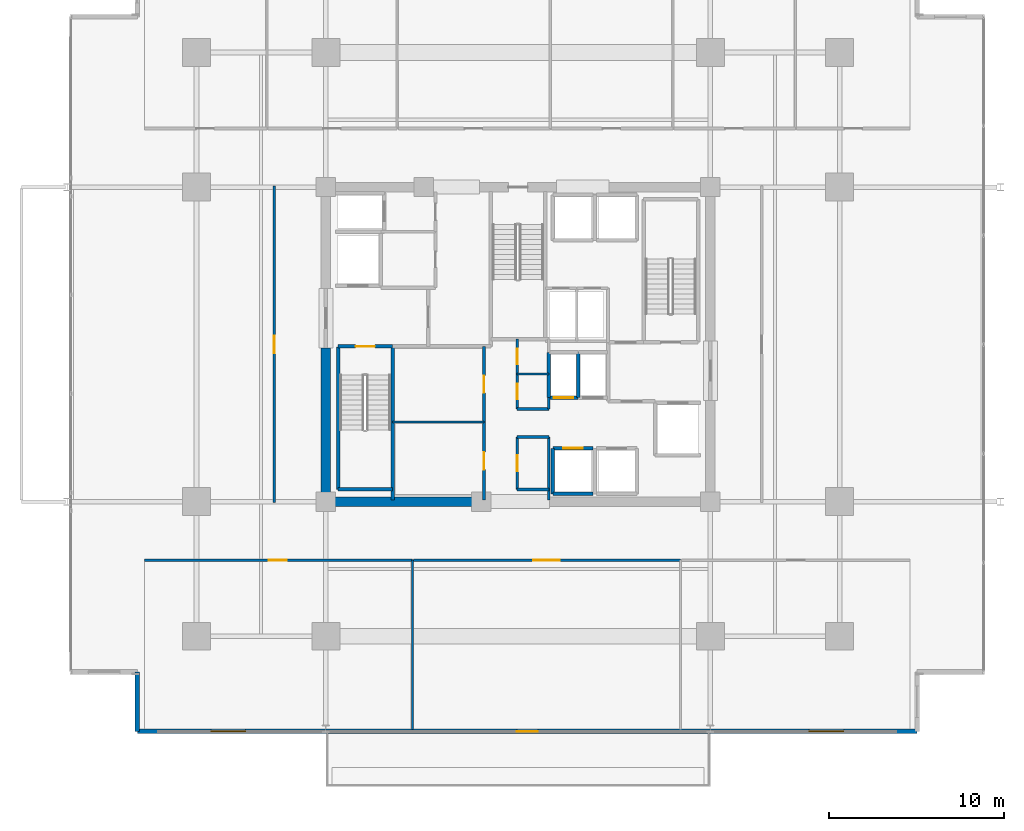
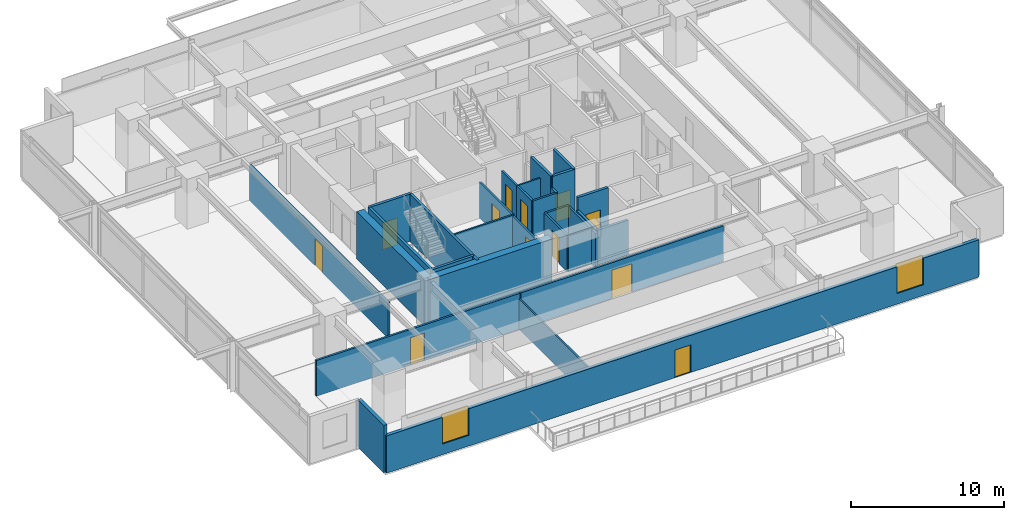
# One storey, part 15 of 22: 30 walls, 12 doors, 2 windows, 14 openings.
"""IFC4 building model written with IfcOpenShell, lengths in metres."""

import ifcopenshell
import ifcopenshell.guid

model = None  # the IFC model being written
_history = None  # IfcOwnerHistory: only IFC2X3 demands one
_inside = {}  # id of a spatial element -> (the spatial element, [elements in it])
_under = {}  # id of a project, library or spatial element -> (it, [spatial elements below it])
_declared = {}  # id of a project -> (the project, [libraries it declares])
_typed = {}  # id of a type object -> (the type object, [elements of that type])
_made_of = {}  # id of a material, layer set ... -> (it, [elements and type objects made of it])


def new_model(schema):
    """Start an empty IFC model of exactly this schema.

    Asked for "IFC4X3", IfcOpenShell would pick the latest addendum, in which some entities
    have other attributes; the version numbers below select the first issue.
    IFC2X3 requires an IfcOwnerHistory on every rooted entity: one is made here for all.
    """
    global model, _history
    if schema == "IFC4X3":
        model = ifcopenshell.file(schema_version=(4, 3, 0, 0))
    else:
        model = ifcopenshell.file(schema=schema)
    _inside.clear()
    _under.clear()
    _declared.clear()
    _typed.clear()
    _made_of.clear()
    _history = None
    if model.schema == "IFC2X3":
        org = make("IfcOrganization", Name="unknown")
        user = make(
            "IfcPersonAndOrganization",
            ThePerson=make("IfcPerson", FamilyName="unknown"),
            TheOrganization=org,
        )
        app = make(
            "IfcApplication",
            ApplicationDeveloper=org,
            Version="unknown",
            ApplicationFullName="unknown",
            ApplicationIdentifier="unknown",
        )
        _history = make(
            "IfcOwnerHistory",
            OwningUser=user,
            OwningApplication=app,
            ChangeAction="ADDED",
            CreationDate=0,
        )
    return model


def make(cls, **values):
    """One entity of the class cls with the attributes given. An attribute that is None is left unset."""
    return model.create_entity(
        cls, **{name: value for name, value in values.items() if value is not None}
    )


def rooted(cls, **values):
    """An entity with a GlobalId (a new one), such as an element, a storey or a relation."""
    return make(cls, GlobalId=ifcopenshell.guid.new(), OwnerHistory=_history, **values)


def si_unit(unit_type, name, prefix=None):
    """IfcSIUnit, for example si_unit("LENGTHUNIT", "METRE", prefix="MILLI")."""
    return make("IfcSIUnit", UnitType=unit_type, Prefix=prefix, Name=name)


def assignment(units):
    """IfcUnitAssignment: the units of a project."""
    return None if units is None else make("IfcUnitAssignment", Units=units)


def point(xyz):
    """IfcCartesianPoint."""
    return None if xyz is None else make("IfcCartesianPoint", Coordinates=xyz)


def direction(xyz):
    """IfcDirection."""
    return None if xyz is None else make("IfcDirection", DirectionRatios=xyz)


def frame(location, z_axis=None, x_axis=None):
    """IfcAxis2Placement3D, a coordinate frame: its origin and axes. An axis left out is left unset."""
    return make(
        "IfcAxis2Placement3D",
        Location=point(location),
        Axis=direction(z_axis),
        RefDirection=direction(x_axis),
    )


def frame_2d(location, x_axis=None):
    """IfcAxis2Placement2D, a coordinate frame in the plane: its origin and x axis."""
    return make(
        "IfcAxis2Placement2D", Location=point(location), RefDirection=direction(x_axis)
    )


def origin():
    """The frame at (0, 0, 0) with its axes left unset."""
    return frame((0.0, 0.0, 0.0))


def place(relative_to, where):
    """IfcLocalPlacement: puts the frame where relative to a parent placement (None: the world)."""
    return make(
        "IfcLocalPlacement", PlacementRelTo=relative_to, RelativePlacement=where
    )


def context(
    kind, dimensions, precision=None, world=None, true_north=None, identifier=None
):
    """IfcGeometricRepresentationContext, for example the 3D "Model" context."""
    return make(
        "IfcGeometricRepresentationContext",
        ContextIdentifier=identifier,
        ContextType=kind,
        CoordinateSpaceDimension=dimensions,
        Precision=precision,
        WorldCoordinateSystem=world,
        TrueNorth=true_north,
    )


def subcontext(parent, identifier, kind, view, scale=None):
    """IfcGeometricRepresentationSubContext, for example "Body" below "Model"."""
    return make(
        "IfcGeometricRepresentationSubContext",
        ContextIdentifier=identifier,
        ContextType=kind,
        ParentContext=parent,
        TargetScale=scale,
        TargetView=view,
    )


def project(units=None, contexts=None):
    """IfcProject with its units and contexts."""
    return rooted(
        "IfcProject",
        Name="project",
        RepresentationContexts=contexts,
        UnitsInContext=assignment(units),
    )


def spatial(cls, under=None, at=None, **own):
    """A site, building, storey or space (cls), placed at a placement, below another one or the project."""
    s = rooted(cls, ObjectPlacement=at, **own)
    if under is not None:
        _under.setdefault(under.id(), (under, []))[1].append(s)
    return s


def profile(cls, at=None, kind="AREA", **sizes):
    """A parametric profile (cls). Its sizes go by their IFC names, for example OverallWidth=200.0."""
    return make(cls, ProfileType=kind, Position=at, **sizes)


def rectangle(**sizes):
    """IfcRectangleProfileDef."""
    return profile("IfcRectangleProfileDef", **sizes)


def extrude(swept, where, along, depth):
    """IfcExtrudedAreaSolid: the profile swept, set in the frame where, extruded along a direction by depth."""
    return make(
        "IfcExtrudedAreaSolid",
        SweptArea=swept,
        Position=where,
        ExtrudedDirection=direction(along),
        Depth=depth,
    )


def shape(context_of_items, identifier, shape_type, items):
    """IfcShapeRepresentation: the items that make up one representation, for example the "Body"."""
    return make(
        "IfcShapeRepresentation",
        ContextOfItems=context_of_items,
        RepresentationIdentifier=identifier,
        RepresentationType=shape_type,
        Items=items,
    )


def material(Name=None, Category=None):
    """IfcMaterial."""
    return make("IfcMaterial", Name=Name, Category=Category)


def layer(
    of_material, thickness, ventilated=None, Name=None, Category=None, Priority=None
):
    """IfcMaterialLayer: one layer of a wall or slab, of a material (None: an air gap)."""
    return make(
        "IfcMaterialLayer",
        Material=of_material,
        LayerThickness=thickness,
        IsVentilated=ventilated,
        Name=Name,
        Category=Category,
        Priority=Priority,
    )


def layer_set(layers, Name=None):
    """IfcMaterialLayerSet."""
    return make("IfcMaterialLayerSet", MaterialLayers=layers, LayerSetName=Name)


def made_of(thing, what):
    """Note that an element or type object is made of a material, layer set ...; save() writes the relation."""
    if what is not None:
        _made_of.setdefault(what.id(), (what, []))[1].append(thing)
    return thing


def type_object(cls, material=None, **own):
    """A type object (cls), such as IfcWallType, which elements share."""
    return made_of(rooted(cls, **own), material)


def element(
    cls,
    number,
    at=None,
    inside=None,
    cuts=None,
    type_object=None,
    material=None,
    context=None,
    identifier="Body",
    shape_type=None,
    held_by="IfcProductDefinitionShape",
    body=None,
    shapes=None,
    **own,
):
    """One element of the class cls, such as IfcWall. Its Tag is "e" and its number.

    at: its placement. inside: the storey or other place that contains it. cuts: it is an
    opening in that element (IfcRelVoidsElement). A single representation is given by context,
    identifier, shape_type and body (its items); several are given by shapes. held_by: the class
    of the entity that holds the representations. save() writes the other relations.
    """
    e = rooted(cls, Tag="e%d" % number, ObjectPlacement=at, **own)
    if body is not None:
        shapes = [shape(context, identifier, shape_type, body)]
    if shapes is not None:
        e.Representation = make(held_by, Representations=shapes)
    if inside is not None:
        _inside.setdefault(inside.id(), (inside, []))[1].append(e)
    if cuts is not None:
        rooted(
            "IfcRelVoidsElement", RelatingBuildingElement=cuts, RelatedOpeningElement=e
        )
    if type_object is not None:
        _typed.setdefault(type_object.id(), (type_object, []))[1].append(e)
    return made_of(e, material)


def fill(opening, filler):
    """IfcRelFillsElement: the door or window that sits in an opening."""
    return rooted(
        "IfcRelFillsElement",
        RelatingOpeningElement=opening,
        RelatedBuildingElement=filler,
    )


def aggregate(whole, parts):
    """IfcRelAggregates: a whole, such as a stair, and the parts it consists of."""
    return rooted("IfcRelAggregates", RelatingObject=whole, RelatedObjects=parts)


def save(model, path):
    """Write the relations noted so far, then the file.

    IfcRelAggregates (storeys below a building ...), IfcRelContainedInSpatialStructure (elements
    in a storey), IfcRelDefinesByType, IfcRelAssociatesMaterial and IfcRelDeclares: one each for
    every whole, place, type object, material and project.
    """
    for whole, parts in _under.values():
        aggregate(whole, parts)
    for where, things in _inside.values():
        rooted(
            "IfcRelContainedInSpatialStructure",
            RelatedElements=things,
            RelatingStructure=where,
        )
    for kind, things in _typed.values():
        rooted("IfcRelDefinesByType", RelatedObjects=things, RelatingType=kind)
    for what, things in _made_of.values():
        rooted("IfcRelAssociatesMaterial", RelatedObjects=things, RelatingMaterial=what)
    for by, libraries in _declared.values():
        rooted("IfcRelDeclares", RelatingContext=by, RelatedDefinitions=libraries)
    model.write(path)


model = new_model("IFC4")

# Units and contexts
model_context = context("Model", 3, precision=1e-05, world=origin(), true_north=direction((0.0, 1.0)))
body_context = subcontext(model_context, "Body", "Model", "MODEL_VIEW")
ifc_project = project(units=[si_unit("LENGTHUNIT", "METRE"), si_unit("AREAUNIT", "SQUARE_METRE"), si_unit("VOLUMEUNIT", "CUBIC_METRE"), si_unit("PLANEANGLEUNIT", "RADIAN"), si_unit("MASSUNIT", "GRAM", prefix="KILO")], contexts=[model_context])

# Site, building, storey
site_placement = place(None, origin())
site = spatial("IfcSite", under=ifc_project, at=site_placement, CompositionType="ELEMENT")
building_placement = place(site_placement, origin())
building = spatial("IfcBuilding", under=site, at=building_placement, Name="Kovane Verandah Tower", CompositionType="ELEMENT")
storey_placement = place(building_placement, frame((0.0, 0.0, 156.39990234375)))
storey = spatial("IfcBuildingStorey", under=building, at=storey_placement, Name="L36", CompositionType="ELEMENT", Elevation=156.39990234375)

# Walls
ifc_material_1 = material(Name="Fire-Rated Gypsum Stud Partition", Category="gypsum")
ifc_layer_1 = layer(ifc_material_1, 0.14990234375)
ifc_layer_set_1 = layer_set([ifc_layer_1], Name="Fire-Rated Gypsum Stud Partition")
wall_type_1 = type_object("IfcWallType", Name="WL-COR-150", PredefinedType="PARTITIONING", material=ifc_layer_set_1)
for number, where, z_axis, x_axis, name in (
    (1, (39.949951171875, 19.199951171875, 0.0), (0.0, 0.0, 1.0), (1.0, 0.0, 0.0), "L36 Central Core Strip South Wall"),
    (2, (39.949951171875, 22.199951171875, 0.0), (0.0, 0.0, 1.0), (1.0, 0.0, 0.0), "L36 Core Cross-Passage South Wall"),
    (3, (39.949951171875, 23.800048828125, 0.0), (0.0, 0.0, 1.0), (1.0, 0.0, 0.0), "L36 Core Cross-Passage North Wall"),
):
    element("IfcWall", number, at=place(storey_placement, frame(where, z_axis=z_axis, x_axis=x_axis)), inside=storey, type_object=wall_type_1, Name=name, PredefinedType="PARTITIONING", context=body_context, shape_type="SweptSolid", body=[
        extrude(rectangle(XDim=1.81005859375, YDim=0.14990234375, at=frame_2d((0.905029296875, 0.0))), origin(), (0.0, 0.0, 1.0), 2.85009765625),
    ])
wall_1_placement = place(storey_placement, frame((41.760009765625, 18.60009765625, 0.0), z_axis=(0.0, 0.0, 1.0), x_axis=(0.0, 1.0, 0.0)))
element("IfcWall", 4, at=wall_1_placement, inside=storey, type_object=wall_type_1, Name="L36 Central Core Strip Lower East Wall", PredefinedType="PARTITIONING", context=body_context, shape_type="SweptSolid", body=[
    extrude(rectangle(XDim=3.599853515625, YDim=0.14990234375, at=frame_2d((1.7998046875, 0.0))), origin(), (0.0, 0.0, 1.0), 2.755126953125),
])
wall_2_placement = place(storey_placement, frame((41.760009765625, 23.800048828125, 0.0), z_axis=(0.0, 0.0, 1.0), x_axis=(0.0, 1.0, 0.0)))
element("IfcWall", 5, at=wall_2_placement, inside=storey, type_object=wall_type_1, Name="L36 Central Core Strip Middle East Wall", PredefinedType="PARTITIONING", context=body_context, shape_type="SweptSolid", body=[
    extrude(rectangle(XDim=0.64990234375, YDim=0.14990234375, at=frame_2d((0.324951171875, 0.0))), origin(), (0.0, 0.0, 1.0), 2.85009765625),
])

# Wall, opening, door
wall_3_placement = place(storey_placement, frame((39.949951171875, 19.199951171875, 0.0), z_axis=(0.0, 0.0, 1.0), x_axis=(0.0, 1.0, 0.0)))
wall_3 = element("IfcWall", 6, at=wall_3_placement, inside=storey, type_object=wall_type_1, Name="L36 Male Toilet Partition", PredefinedType="PARTITIONING", context=body_context, shape_type="SweptSolid", body=[
    extrude(rectangle(XDim=3.0, YDim=0.14990234375, at=frame_2d((1.5, 0.0))), origin(), (0.0, 0.0, 1.0), 2.85009765625),
])
opening_1_placement = place(wall_3_placement, frame((1.050048828125, 0.0, 0.0)))
opening_1 = element("IfcOpeningElement", 7, at=opening_1_placement, cuts=wall_3, Name="Opening DR-L36-029", PredefinedType="OPENING", context=body_context, shape_type="SweptSolid", body=[
    extrude(rectangle(XDim=0.89990234375, YDim=2.10009765625, at=frame_2d((0.449951171875, 1.050048828125))), frame((0.0, 0.074951171875, 0.0), z_axis=(0.0, -1.0, 0.0), x_axis=(1.0, 0.0, 0.0)), (0.0, 0.0, 1.0), 0.14990234375),
])
ifc_material_2 = material(Name="Moisture-Resistant Laminate Washroom Door", Category="wood")
door_type_1 = type_object("IfcDoorType", Name="DR-WC-900", OperationType="SINGLE_SWING_LEFT", PredefinedType="DOOR", material=ifc_material_2)
door_1_placement = place(opening_1_placement, origin())
door_1 = element("IfcDoor", 8, at=door_1_placement, inside=storey, type_object=door_type_1, Name="L36 Male Toilet Door", OperationType="SINGLE_SWING_RIGHT", OverallHeight=2.10009765625, OverallWidth=0.89990234375, PredefinedType="DOOR", context=body_context, shape_type="SweptSolid", body=[
    extrude(rectangle(XDim=0.89990234375, YDim=2.10009765625, at=frame_2d((0.449951171875, 1.050048828125))), frame((0.0, 0.02490234375, 0.0), z_axis=(0.0, -1.0, 0.0), x_axis=(1.0, 0.0, 0.0)), (0.0, 0.0, 1.0), 0.050048828125),
])
fill(opening_1, door_1)

wall_4_placement = place(storey_placement, frame((39.949951171875, 23.800048828125, 0.0), z_axis=(0.0, 0.0, 1.0), x_axis=(0.0, 1.0, 0.0)))
wall_4 = element("IfcWall", 9, at=wall_4_placement, inside=storey, type_object=wall_type_1, Name="L36 Female Toilet Partition", PredefinedType="PARTITIONING", context=body_context, shape_type="SweptSolid", body=[
    extrude(rectangle(XDim=2.0, YDim=0.14990234375, at=frame_2d((1.0, 0.0))), origin(), (0.0, 0.0, 1.0), 2.85009765625),
])
opening_2_placement = place(wall_4_placement, frame((0.550048828125, 0.0, 0.0)))
opening_2 = element("IfcOpeningElement", 10, at=opening_2_placement, cuts=wall_4, Name="Opening DR-L36-028", PredefinedType="OPENING", context=body_context, shape_type="SweptSolid", body=[
    extrude(rectangle(XDim=0.89990234375, YDim=2.10009765625, at=frame_2d((0.449951171875, 1.050048828125))), frame((0.0, 0.074951171875, 0.0), z_axis=(0.0, -1.0, 0.0), x_axis=(1.0, 0.0, 0.0)), (0.0, 0.0, 1.0), 0.14990234375),
])
door_2_placement = place(opening_2_placement, origin())
door_2 = element("IfcDoor", 11, at=door_2_placement, inside=storey, type_object=door_type_1, Name="L36 Female Toilet Door", OperationType="SINGLE_SWING_LEFT", OverallHeight=2.10009765625, OverallWidth=0.89990234375, PredefinedType="DOOR", context=body_context, shape_type="SweptSolid", body=[
    extrude(rectangle(XDim=0.89990234375, YDim=2.10009765625, at=frame_2d((0.449951171875, 1.050048828125))), frame((0.0, 0.02490234375, 0.0), z_axis=(0.0, -1.0, 0.0), x_axis=(1.0, 0.0, 0.0)), (0.0, 0.0, 1.0), 0.050048828125),
])
fill(opening_2, door_2)

wall_5_placement = place(storey_placement, frame((39.949951171875, 25.800048828125, 0.0), z_axis=(0.0, 0.0, 1.0), x_axis=(0.0, 1.0, 0.0)))
wall_5 = element("IfcWall", 12, at=wall_5_placement, inside=storey, type_object=wall_type_1, Name="L36 Electrical Riser Room Partition", PredefinedType="PARTITIONING", context=body_context, shape_type="SweptSolid", body=[
    extrude(rectangle(XDim=2.0, YDim=0.14990234375, at=frame_2d((1.0, 0.0))), origin(), (0.0, 0.0, 1.0), 2.85009765625),
])
opening_3_placement = place(wall_5_placement, frame((0.56005859375, 0.0, 0.0)))
opening_3 = element("IfcOpeningElement", 13, at=opening_3_placement, cuts=wall_5, Name="Opening DR-L36-026", PredefinedType="OPENING", context=body_context, shape_type="SweptSolid", body=[
    extrude(rectangle(XDim=0.8798828125, YDim=2.10009765625, at=frame_2d((0.43994140625, 1.050048828125))), frame((0.0, 0.074951171875, 0.0), z_axis=(0.0, -1.0, 0.0), x_axis=(1.0, 0.0, 0.0)), (0.0, 0.0, 1.0), 0.14990234375),
])
ifc_material_3 = material(Name="Fire-Rated Steel Riser Access Door", Category="steel")
door_type_2 = type_object("IfcDoorType", Name="DR-RISER-880", OperationType="SINGLE_SWING_LEFT", PredefinedType="DOOR", material=ifc_material_3)
door_3_placement = place(opening_3_placement, origin())
door_3 = element("IfcDoor", 14, at=door_3_placement, inside=storey, type_object=door_type_2, Name="L36 Electrical Riser Room Door", OperationType="SINGLE_SWING_RIGHT", OverallHeight=2.10009765625, OverallWidth=0.8798828125, PredefinedType="DOOR", context=body_context, shape_type="SweptSolid", body=[
    extrude(rectangle(XDim=0.8798828125, YDim=2.10009765625, at=frame_2d((0.43994140625, 1.050048828125))), frame((0.0, 0.02490234375, 0.0), z_axis=(0.0, -1.0, 0.0), x_axis=(1.0, 0.0, 0.0)), (0.0, 0.0, 1.0), 0.050048828125),
])
fill(opening_3, door_3)

wall_6_placement = place(storey_placement, frame((38.050048828125, 18.60009765625, 0.0), z_axis=(0.0, 0.0, 1.0), x_axis=(0.0, 1.0, 0.0)))
wall_6 = element("IfcWall", 15, at=wall_6_placement, inside=storey, type_object=wall_type_1, Name="L36 IT Server Room Partition", PredefinedType="PARTITIONING", context=body_context, shape_type="SweptSolid", body=[
    extrude(rectangle(XDim=4.4599609375, YDim=0.14990234375, at=frame_2d((2.22998046875, 0.0))), origin(), (0.0, 0.0, 1.0), 2.755126953125),
])
opening_4_placement = place(wall_6_placement, frame((1.72998046875, 0.0, 0.0)))
opening_4 = element("IfcOpeningElement", 16, at=opening_4_placement, cuts=wall_6, Name="Opening DR-L36-013", PredefinedType="OPENING", context=body_context, shape_type="SweptSolid", body=[
    extrude(rectangle(XDim=1.0, YDim=2.14990234375, at=frame_2d((0.5, 1.074951171875))), frame((0.0, 0.074951171875, 0.0), z_axis=(0.0, -1.0, 0.0), x_axis=(1.0, 0.0, 0.0)), (0.0, 0.0, 1.0), 0.14990234375),
])
ifc_material_4 = material(Name="FSC Spotted-Gum Timber Fire-Rated Office Door", Category="wood")
door_type_3 = type_object("IfcDoorType", Name="DR-OFF-1000", OperationType="SINGLE_SWING_LEFT", PredefinedType="DOOR", material=ifc_material_4)
door_4_placement = place(opening_4_placement, origin())
door_4 = element("IfcDoor", 17, at=door_4_placement, inside=storey, type_object=door_type_3, Name="L36 IT Server Room Door", OperationType="SINGLE_SWING_LEFT", OverallHeight=2.14990234375, OverallWidth=1.0, PredefinedType="DOOR", context=body_context, shape_type="SweptSolid", body=[
    extrude(rectangle(XDim=1.0, YDim=2.14990234375, at=frame_2d((0.5, 1.074951171875))), frame((0.0, 0.02490234375, 0.0), z_axis=(0.0, -1.0, 0.0), x_axis=(1.0, 0.0, 0.0)), (0.0, 0.0, 1.0), 0.050048828125),
])
fill(opening_4, door_4)

wall_7_placement = place(storey_placement, frame((38.050048828125, 23.06005859375, 0.0), z_axis=(0.0, 0.0, 1.0), x_axis=(0.0, 1.0, 0.0)))
wall_7 = element("IfcWall", 18, at=wall_7_placement, inside=storey, type_object=wall_type_1, Name="L36 Telecom MDF Room Partition", PredefinedType="PARTITIONING", context=body_context, shape_type="SweptSolid", body=[
    extrude(rectangle(XDim=4.31982421875, YDim=0.14990234375, at=frame_2d((2.159912109375, 0.0))), origin(), (0.0, 0.0, 1.0), 2.85009765625),
])
opening_5_placement = place(wall_7_placement, frame((1.659912109375, 0.0, 0.0)))
opening_5 = element("IfcOpeningElement", 19, at=opening_5_placement, cuts=wall_7, Name="Opening DR-L36-014", PredefinedType="OPENING", context=body_context, shape_type="SweptSolid", body=[
    extrude(rectangle(XDim=1.0, YDim=2.14990234375, at=frame_2d((0.5, 1.074951171875))), frame((0.0, 0.074951171875, 0.0), z_axis=(0.0, -1.0, 0.0), x_axis=(1.0, 0.0, 0.0)), (0.0, 0.0, 1.0), 0.14990234375),
])
door_5_placement = place(opening_5_placement, origin())
door_5 = element("IfcDoor", 20, at=door_5_placement, inside=storey, type_object=door_type_3, Name="L36 Telecom MDF Room Door", OperationType="SINGLE_SWING_RIGHT", OverallHeight=2.14990234375, OverallWidth=1.0, PredefinedType="DOOR", context=body_context, shape_type="SweptSolid", body=[
    extrude(rectangle(XDim=1.0, YDim=2.14990234375, at=frame_2d((0.5, 1.074951171875))), frame((0.0, 0.02490234375, 0.0), z_axis=(0.0, -1.0, 0.0), x_axis=(1.0, 0.0, 0.0)), (0.0, 0.0, 1.0), 0.050048828125),
])
fill(opening_5, door_5)

wall_8_placement = place(storey_placement, frame((18.61962890625, 15.14990234375, 0.0), z_axis=(0.0, 0.0, 1.0), x_axis=(1.0, 0.0, 0.0)))
wall_8 = element("IfcWall", 21, at=wall_8_placement, inside=storey, type_object=wall_type_1, Name="L36 Executive Office S1 Corridor Partition", PredefinedType="PARTITIONING", context=body_context, shape_type="SweptSolid", body=[
    extrude(rectangle(XDim=15.337890625, YDim=0.14990234375, at=frame_2d((7.6689453125, 0.0))), origin(), (0.0, 0.0, 1.0), 2.85009765625),
])
opening_6_placement = place(wall_8_placement, frame((7.10888671875, 0.0, 0.0)))
opening_6 = element("IfcOpeningElement", 22, at=opening_6_placement, cuts=wall_8, Name="Opening DR-L36-023", PredefinedType="OPENING", context=body_context, shape_type="SweptSolid", body=[
    extrude(rectangle(XDim=1.050048828125, YDim=2.199951171875, at=frame_2d((0.52490234375, 1.10009765625))), frame((0.0, 0.074951171875, 0.0), z_axis=(0.0, -1.0, 0.0), x_axis=(1.0, 0.0, 0.0)), (0.0, 0.0, 1.0), 0.14990234375),
])
ifc_material_5 = material(Name="FSC Blackbutt Timber Fire-Rated Executive Door", Category="wood")
door_type_4 = type_object("IfcDoorType", Name="DR-EXEC-1050", OperationType="SINGLE_SWING_LEFT", PredefinedType="DOOR", material=ifc_material_5)
door_6_placement = place(opening_6_placement, origin())
door_6 = element("IfcDoor", 23, at=door_6_placement, inside=storey, type_object=door_type_4, Name="L36 Executive Office S1 Entrance Door", OperationType="SINGLE_SWING_LEFT", OverallHeight=2.199951171875, OverallWidth=1.050048828125, PredefinedType="DOOR", context=body_context, shape_type="SweptSolid", body=[
    extrude(rectangle(XDim=1.050048828125, YDim=2.199951171875, at=frame_2d((0.52490234375, 1.10009765625))), frame((0.0, 0.02490234375, 0.0), z_axis=(0.0, -1.0, 0.0), x_axis=(1.0, 0.0, 0.0)), (0.0, 0.0, 1.0), 0.050048828125),
])
fill(opening_6, door_6)

wall_9_placement = place(storey_placement, frame((34.027587890625, 15.14990234375, 0.0), z_axis=(0.0, 0.0, 1.0), x_axis=(1.0, 0.0, 0.0)))
wall_9 = element("IfcWall", 24, at=wall_9_placement, inside=storey, type_object=wall_type_1, Name="L36 Client Boardroom S2 Corridor Partition", PredefinedType="PARTITIONING", context=body_context, shape_type="SweptSolid", body=[
    extrude(rectangle(XDim=15.267822265625, YDim=0.14990234375, at=frame_2d((7.6337890625, 0.0))), origin(), (0.0, 0.0, 1.0), 2.85009765625),
])
opening_7_placement = place(wall_9_placement, frame((6.848876953125, 0.0, 0.0)))
opening_7 = element("IfcOpeningElement", 25, at=opening_7_placement, cuts=wall_9, Name="Opening DR-L36-024", PredefinedType="OPENING", context=body_context, shape_type="SweptSolid", body=[
    extrude(rectangle(XDim=1.5, YDim=2.25, at=frame_2d((0.75, 1.125))), frame((0.0, 0.074951171875, 0.0), z_axis=(0.0, -1.0, 0.0), x_axis=(1.0, 0.0, 0.0)), (0.0, 0.0, 1.0), 0.14990234375),
])
ifc_material_6 = material(Name="Glazed Timber Fire-Rated Double Door", Category="wood")
door_type_5 = type_object("IfcDoorType", Name="DR-CONF-1500", OperationType="DOUBLE_DOOR_SINGLE_SWING", PredefinedType="DOOR", material=ifc_material_6)
door_7_placement = place(opening_7_placement, origin())
door_7 = element("IfcDoor", 26, at=door_7_placement, inside=storey, type_object=door_type_5, Name="L36 Client Boardroom S2 Entrance Door", OperationType="DOUBLE_DOOR_SINGLE_SWING", OverallHeight=2.25, OverallWidth=1.5, PredefinedType="DOOR", context=body_context, shape_type="SweptSolid", body=[
    extrude(rectangle(XDim=1.5, YDim=2.25, at=frame_2d((0.75, 1.125))), frame((0.0, 0.02490234375, 0.0), z_axis=(0.0, -1.0, 0.0), x_axis=(1.0, 0.0, 0.0)), (0.0, 0.0, 1.0), 0.050048828125),
])
fill(opening_7, door_7)

wall_10_placement = place(storey_placement, frame((26.050048828125, 18.449951171875, 0.0), z_axis=(0.0, 0.0, 1.0), x_axis=(0.0, 1.0, 0.0)))
wall_10 = element("IfcWall", 27, at=wall_10_placement, inside=storey, type_object=wall_type_1, Name="L36 Focus Studio W1 Corridor Partition", PredefinedType="PARTITIONING", context=body_context, shape_type="SweptSolid", body=[
    extrude(rectangle(XDim=18.10009765625, YDim=0.14990234375, at=frame_2d((9.050048828125, 0.0))), origin(), (0.0, 0.0, 1.0), 2.85009765625),
])
opening_8_placement = place(wall_10_placement, frame((8.550048828125, 0.0, 0.0)))
opening_8 = element("IfcOpeningElement", 28, at=opening_8_placement, cuts=wall_10, Name="Opening DR-L36-030", PredefinedType="OPENING", context=body_context, shape_type="SweptSolid", body=[
    extrude(rectangle(XDim=1.0, YDim=2.14990234375, at=frame_2d((0.5, 1.074951171875))), frame((0.0, 0.074951171875, 0.0), z_axis=(0.0, -1.0, 0.0), x_axis=(1.0, 0.0, 0.0)), (0.0, 0.0, 1.0), 0.14990234375),
])
door_8_placement = place(opening_8_placement, origin())
door_8 = element("IfcDoor", 29, at=door_8_placement, inside=storey, type_object=door_type_3, Name="L36 Focus Studio W1 Entrance Door", OperationType="SINGLE_SWING_RIGHT", OverallHeight=2.14990234375, OverallWidth=1.0, PredefinedType="DOOR", context=body_context, shape_type="SweptSolid", body=[
    extrude(rectangle(XDim=1.0, YDim=2.14990234375, at=frame_2d((0.5, 1.074951171875))), frame((0.0, 0.02490234375, 0.0), z_axis=(0.0, -1.0, 0.0), x_axis=(1.0, 0.0, 0.0)), (0.0, 0.0, 1.0), 0.050048828125),
])
fill(opening_8, door_8)

# Walls
ifc_material_7 = material(Name="Concrete C60/75", Category="concrete")
ifc_layer_2 = layer(ifc_material_7, 0.550048828125)
ifc_layer_set_2 = layer_set([ifc_layer_2], Name="Concrete C60/75")
wall_type_2 = type_object("IfcWallType", Name="WL-CORE-550", PredefinedType="SHEAR", material=ifc_layer_set_2)
wall_11_placement = place(storey_placement, frame((29.0, 18.5, 0.0), z_axis=(0.0, 0.0, 1.0), x_axis=(1.0, 0.0, 0.0)))
element("IfcWall", 30, at=wall_11_placement, inside=storey, type_object=wall_type_2, Name="L36 Core Shear Wall CS-1", PredefinedType="SHEAR", context=body_context, shape_type="SweptSolid", body=[
    extrude(rectangle(XDim=9.199951171875, YDim=0.550048828125, at=frame_2d((4.60009765625, 0.0))), origin(), (0.0, 0.0, 1.0), 3.775146484375),
])
wall_12_placement = place(storey_placement, frame((29.0, 18.5, 0.0), z_axis=(0.0, 0.0, 1.0), x_axis=(0.0, 1.0, 0.0)))
element("IfcWall", 31, at=wall_12_placement, inside=storey, type_object=wall_type_2, Name="L36 Core Shear Wall CW-1", PredefinedType="SHEAR", context=body_context, shape_type="SweptSolid", body=[
    extrude(rectangle(XDim=8.800048828125, YDim=0.550048828125, at=frame_2d((4.39990234375, 0.0))), origin(), (0.0, 0.0, 1.0), 3.775146484375),
])
ifc_material_8 = material(Name="Concrete C45/55 Lift Shaft Wall", Category="concrete")
ifc_layer_3 = layer(ifc_material_8, 0.199951171875)
ifc_layer_set_3 = layer_set([ifc_layer_3], Name="Concrete C45/55 Lift Shaft Wall")
wall_type_3 = type_object("IfcWallType", Name="WL-LIFT-200", PredefinedType="SOLIDWALL", material=ifc_layer_set_3)
wall_13_placement = place(storey_placement, frame((42.0, 18.949951171875, 0.0), z_axis=(0.0, 0.0, 1.0), x_axis=(1.0, 0.0, 0.0)))
element("IfcWall", 32, at=wall_13_placement, inside=storey, type_object=wall_type_3, Name="L36 Lift PL-M1 S Shaft Wall", PredefinedType="SOLIDWALL", context=body_context, shape_type="SweptSolid", body=[
    extrude(rectangle(XDim=2.300048828125, YDim=0.199951171875, at=frame_2d((1.14990234375, 0.0))), origin(), (0.0, 0.0, 1.0), 2.755126953125),
])

# Wall, opening, door
wall_14_placement = place(storey_placement, frame((44.300048828125, 21.550048828125, 0.0), z_axis=(0.0, 0.0, 1.0), x_axis=(-1.0, 0.0, 0.0)))
wall_14 = element("IfcWall", 33, at=wall_14_placement, inside=storey, type_object=wall_type_3, Name="L36 Lift PL-M1 N Shaft Wall", PredefinedType="SOLIDWALL", context=body_context, shape_type="SweptSolid", body=[
    extrude(rectangle(XDim=2.300048828125, YDim=0.199951171875, at=frame_2d((1.14990234375, 0.0))), origin(), (0.0, 0.0, 1.0), 3.775146484375),
])
opening_9_placement = place(wall_14_placement, frame((0.60009765625, 0.0, 0.0)))
opening_9 = element("IfcOpeningElement", 34, at=opening_9_placement, cuts=wall_14, Name="Opening LD-L36-004", PredefinedType="OPENING", context=body_context, shape_type="SweptSolid", body=[
    extrude(rectangle(XDim=1.10009765625, YDim=2.199951171875, at=frame_2d((0.550048828125, 1.10009765625))), frame((0.0, 0.10009765625, 0.0), z_axis=(0.0, -1.0, 0.0), x_axis=(1.0, 0.0, 0.0)), (0.0, 0.0, 1.0), 0.199951171875),
])
ifc_material_9 = material(Name="Brushed Stainless Steel Sliding Lift Landing Door", Category="steel")
door_type_6 = type_object("IfcDoorType", Name="DR-LIFT-1100", OperationType="SLIDING_TO_RIGHT", PredefinedType="DOOR", material=ifc_material_9)
door_9_placement = place(opening_9_placement, origin())
door_9 = element("IfcDoor", 35, at=door_9_placement, inside=storey, type_object=door_type_6, Name="L36 Lift PL-M1 Sliding Landing Door", OperationType="SLIDING_TO_RIGHT", OverallHeight=2.199951171875, OverallWidth=1.10009765625, PredefinedType="DOOR", context=body_context, shape_type="SweptSolid", body=[
    extrude(rectangle(XDim=1.10009765625, YDim=2.199951171875, at=frame_2d((0.550048828125, 1.10009765625))), frame((0.0, 0.02490234375, 0.0), z_axis=(0.0, -1.0, 0.0), x_axis=(1.0, 0.0, 0.0)), (0.0, 0.0, 1.0), 0.050048828125),
])
fill(opening_9, door_9)

# Wall
wall_15_placement = place(storey_placement, frame((42.0, 21.550048828125, 0.0), z_axis=(0.0, 0.0, 1.0), x_axis=(0.0, -1.0, 0.0)))
element("IfcWall", 36, at=wall_15_placement, inside=storey, type_object=wall_type_3, Name="L36 Lift PL-M1 W Shaft Wall", PredefinedType="SOLIDWALL", context=body_context, shape_type="SweptSolid", body=[
    extrude(rectangle(XDim=2.60009765625, YDim=0.199951171875, at=frame_2d((1.300048828125, 0.0))), origin(), (0.0, 0.0, 1.0), 2.755126953125),
])

# Wall, opening, door
wall_16_placement = place(storey_placement, frame((41.760009765625, 24.449951171875, 0.0), z_axis=(0.0, 0.0, 1.0), x_axis=(1.0, 0.0, 0.0)))
wall_16 = element("IfcWall", 37, at=wall_16_placement, inside=storey, type_object=wall_type_3, Name="L36 Lift PL-M3 S Shaft Wall", PredefinedType="SOLIDWALL", context=body_context, shape_type="SweptSolid", body=[
    extrude(rectangle(XDim=1.679931640625, YDim=0.199951171875, at=frame_2d((0.83984375, 0.0))), origin(), (0.0, 0.0, 1.0), 3.775146484375),
])
opening_10_placement = place(wall_16_placement, frame((0.2900390625, 0.0, 0.0)))
opening_10 = element("IfcOpeningElement", 38, at=opening_10_placement, cuts=wall_16, Name="Opening LD-L36-006", PredefinedType="OPENING", context=body_context, shape_type="SweptSolid", body=[
    extrude(rectangle(XDim=1.10009765625, YDim=2.199951171875, at=frame_2d((0.550048828125, 1.10009765625))), frame((0.0, 0.10009765625, 0.0), z_axis=(0.0, -1.0, 0.0), x_axis=(1.0, 0.0, 0.0)), (0.0, 0.0, 1.0), 0.199951171875),
])
door_10_placement = place(opening_10_placement, origin())
door_10 = element("IfcDoor", 39, at=door_10_placement, inside=storey, type_object=door_type_6, Name="L36 Lift PL-M3 Sliding Landing Door", OperationType="SLIDING_TO_RIGHT", OverallHeight=2.199951171875, OverallWidth=1.10009765625, PredefinedType="DOOR", context=body_context, shape_type="SweptSolid", body=[
    extrude(rectangle(XDim=1.10009765625, YDim=2.199951171875, at=frame_2d((0.550048828125, 1.10009765625))), frame((0.0, 0.02490234375, 0.0), z_axis=(0.0, -1.0, 0.0), x_axis=(1.0, 0.0, 0.0)), (0.0, 0.0, 1.0), 0.050048828125),
])
fill(opening_10, door_10)

# Walls
for number, where, z_axis, x_axis, name in (
    (40, (41.760009765625, 27.050048828125, 0.0), (0.0, 0.0, 1.0), (0.0, -1.0, 0.0), "L36 Lift PL-M3 W Shaft Wall"),
    (41, (43.449951171875, 24.449951171875, 0.0), (0.0, 0.0, 1.0), (0.0, 1.0, 0.0), "L36 Lift PL-M3 and PL-M4 Shared Shaft Wall"),
):
    element("IfcWall", number, at=place(storey_placement, frame(where, z_axis=z_axis, x_axis=x_axis)), inside=storey, type_object=wall_type_3, Name=name, PredefinedType="SOLIDWALL", context=body_context, shape_type="SweptSolid", body=[
        extrude(rectangle(XDim=2.60009765625, YDim=0.199951171875, at=frame_2d((1.300048828125, 0.0))), origin(), (0.0, 0.0, 1.0), 3.775146484375),
    ])
ifc_material_10 = material(Name="Acoustic Fire-Rated Gypsum Partition", Category="gypsum")
ifc_layer_4 = layer(ifc_material_10, 0.1201171875)
ifc_layer_set_4 = layer_set([ifc_layer_4], Name="Acoustic Fire-Rated Gypsum Partition")
wall_type_4 = type_object("IfcWallType", Name="WL-PART-120", PredefinedType="PARTITIONING", material=ifc_layer_set_4)
wall_17_placement = place(storey_placement, frame((39.949951171875, 25.800048828125, 0.0), z_axis=(0.0, 0.0, 1.0), x_axis=(1.0, 0.0, 0.0)))
element("IfcWall", 42, at=wall_17_placement, inside=storey, type_object=wall_type_4, Name="L36 Central Core Strip Upper Dividing Partition", PredefinedType="PARTITIONING", context=body_context, shape_type="SweptSolid", body=[
    extrude(rectangle(XDim=1.81005859375, YDim=0.1201171875, at=frame_2d((0.905029296875, 0.0))), origin(), (0.0, 0.0, 1.0), 2.85009765625),
])
wall_18_placement = place(storey_placement, frame((32.820068359375, 23.06005859375, 0.0), z_axis=(0.0, 0.0, 1.0), x_axis=(1.0, 0.0, 0.0)))
element("IfcWall", 43, at=wall_18_placement, inside=storey, type_object=wall_type_4, Name="L36 Core Support Dividing Partition", PredefinedType="PARTITIONING", context=body_context, shape_type="SweptSolid", body=[
    extrude(rectangle(XDim=5.22998046875, YDim=0.1201171875, at=frame_2d((2.614990234375, 0.0))), origin(), (0.0, 0.0, 1.0), 2.85009765625),
])
wall_19_placement = place(storey_placement, frame((33.95751953125, 5.453857421875, 0.0), z_axis=(0.0, 0.0, 1.0), x_axis=(0.0, 1.0, 0.0)))
element("IfcWall", 44, at=wall_19_placement, inside=storey, type_object=wall_type_4, Name="L36 Executive Office S1 Dividing Partition", PredefinedType="PARTITIONING", context=body_context, shape_type="SweptSolid", body=[
    extrude(rectangle(XDim=9.696044921875, YDim=0.1201171875, at=frame_2d((4.84814453125, 0.0))), origin(), (0.0, 0.0, 1.0), 2.405029296875),
])
ifc_material_11 = material(Name="Concrete C45/55", Category="concrete")
ifc_layer_5 = layer(ifc_material_11, 0.199951171875)
ifc_layer_set_5 = layer_set([ifc_layer_5], Name="Concrete C45/55")
wall_type_5 = type_object("IfcWallType", Name="WL-SHAFT-200", PredefinedType="SOLIDWALL", material=ifc_layer_set_5)
wall_20_placement = place(storey_placement, frame((29.699951171875, 19.199951171875, 0.0), z_axis=(0.0, 0.0, 1.0), x_axis=(0.0, 1.0, 0.0)))
element("IfcWall", 45, at=wall_20_placement, inside=storey, type_object=wall_type_5, Name="W-L36-ST01-W", PredefinedType="SOLIDWALL", context=body_context, shape_type="SweptSolid", body=[
    extrude(rectangle(XDim=8.150146484375, YDim=0.199951171875, at=frame_2d((4.0751953125, 0.0))), origin(), (0.0, 0.0, 1.0), 3.775146484375),
])
wall_21_placement = place(storey_placement, frame((29.699951171875, 19.199951171875, 0.0), z_axis=(0.0, 0.0, 1.0), x_axis=(1.0, 0.0, 0.0)))
element("IfcWall", 46, at=wall_21_placement, inside=storey, type_object=wall_type_5, Name="W-L36-ST01-S", PredefinedType="SOLIDWALL", context=body_context, shape_type="SweptSolid", body=[
    extrude(rectangle(XDim=3.1201171875, YDim=0.199951171875, at=frame_2d((1.56005859375, 0.0))), origin(), (0.0, 0.0, 1.0), 3.775146484375),
])
wall_22_placement = place(storey_placement, frame((32.820068359375, 18.60009765625, 0.0), z_axis=(0.0, 0.0, 1.0), x_axis=(0.0, 1.0, 0.0)))
element("IfcWall", 47, at=wall_22_placement, inside=storey, type_object=wall_type_5, Name="W-L36-ST01-E", PredefinedType="SOLIDWALL", context=body_context, shape_type="SweptSolid", body=[
    extrude(rectangle(XDim=8.77978515625, YDim=0.199951171875, at=frame_2d((4.389892578125, 0.0))), origin(), (0.0, 0.0, 1.0), 3.775146484375),
])

# Wall, opening, door
wall_23_placement = place(storey_placement, frame((29.699951171875, 27.3798828125, 0.0), z_axis=(0.0, 0.0, 1.0), x_axis=(1.0, 0.0, 0.0)))
wall_23 = element("IfcWall", 48, at=wall_23_placement, inside=storey, type_object=wall_type_5, Name="W-L36-ST01-N", PredefinedType="SOLIDWALL", context=body_context, shape_type="SweptSolid", body=[
    extrude(rectangle(XDim=3.1201171875, YDim=0.199951171875, at=frame_2d((1.56005859375, 0.0))), origin(), (0.0, 0.0, 1.0), 3.775146484375),
])
opening_11_placement = place(wall_23_placement, frame((1.010009765625, 0.0, 0.0)))
opening_11 = element("IfcOpeningElement", 49, at=opening_11_placement, cuts=wall_23, Name="Opening DR-L36-009", PredefinedType="OPENING", context=body_context, shape_type="SweptSolid", body=[
    extrude(rectangle(XDim=1.10009765625, YDim=2.14990234375, at=frame_2d((0.550048828125, 1.074951171875))), frame((0.0, 0.10009765625, 0.0), z_axis=(0.0, -1.0, 0.0), x_axis=(1.0, 0.0, 0.0)), (0.0, 0.0, 1.0), 0.199951171875),
])
ifc_material_12 = material(Name="Fire-Rated Steel Exit Door", Category="steel")
door_type_7 = type_object("IfcDoorType", Name="DR-STAIR-1100", OperationType="SINGLE_SWING_LEFT", PredefinedType="DOOR", material=ifc_material_12)
door_11_placement = place(opening_11_placement, origin())
door_11 = element("IfcDoor", 50, at=door_11_placement, inside=storey, type_object=door_type_7, Name="L36 ST-01 Fire Exit Stair Door", OperationType="SINGLE_SWING_LEFT", OverallHeight=2.14990234375, OverallWidth=1.10009765625, PredefinedType="DOOR", context=body_context, shape_type="SweptSolid", body=[
    extrude(rectangle(XDim=1.10009765625, YDim=2.14990234375, at=frame_2d((0.550048828125, 1.074951171875))), frame((0.0, 0.02490234375, 0.0), z_axis=(0.0, -1.0, 0.0), x_axis=(1.0, 0.0, 0.0)), (0.0, 0.0, 1.0), 0.050048828125),
])
fill(opening_11, door_11)

# Wall, openings, door, windows
ifc_material_13 = material(Name="Concrete C45/55 Insulated Spandrel Wall", Category="concrete")
ifc_layer_6 = layer(ifc_material_13, 0.260009765625)
ifc_layer_set_6 = layer_set([ifc_layer_6], Name="Concrete C45/55 Insulated Spandrel Wall")
wall_type_6 = type_object("IfcWallType", Name="WL-SPANDREL-260", PredefinedType="PARAPET", material=ifc_layer_set_6)
wall_24_placement = place(storey_placement, frame((18.2197265625, 5.353759765625, 0.0), z_axis=(0.0, 0.0, 1.0), x_axis=(1.0, 0.0, 0.0)))
wall_24 = element("IfcWall", 51, at=wall_24_placement, inside=storey, type_object=wall_type_6, Name="L36 S Verandah Access Facade Wall", PredefinedType="PARAPET", context=body_context, shape_type="SweptSolid", body=[
    extrude(rectangle(XDim=44.622314453125, YDim=0.260009765625, at=frame_2d((22.31103515625, 0.0))), origin(), (0.0, 0.0, 1.0), 2.97021484375),
])
opening_12_placement = place(wall_24_placement, frame((4.199951171875, 0.0, 0.85009765625)))
opening_12 = element("IfcOpeningElement", 52, at=opening_12_placement, cuts=wall_24, Name="Opening W-04", PredefinedType="OPENING", context=body_context, shape_type="SweptSolid", body=[
    extrude(rectangle(XDim=2.0, YDim=2.300048828125, at=frame_2d((1.0, 1.14990234375))), frame((0.0, 0.1298828125, 0.0), z_axis=(0.0, -1.0, 0.0), x_axis=(1.0, 0.0, 0.0)), (0.0, 0.0, 1.0), 0.260009765625),
])
opening_13_placement = place(wall_24_placement, frame((21.711181640625, 0.0, 0.0)))
opening_13 = element("IfcOpeningElement", 53, at=opening_13_placement, cuts=wall_24, Name="Opening DR-L36-002", PredefinedType="OPENING", context=body_context, shape_type="SweptSolid", body=[
    extrude(rectangle(XDim=1.199951171875, YDim=2.199951171875, at=frame_2d((0.60009765625, 1.10009765625))), frame((0.0, 0.1298828125, 0.0), z_axis=(0.0, -1.0, 0.0), x_axis=(1.0, 0.0, 0.0)), (0.0, 0.0, 1.0), 0.260009765625),
])
opening_14_placement = place(wall_24_placement, frame((38.42236328125, 0.0, 0.85009765625)))
opening_14 = element("IfcOpeningElement", 54, at=opening_14_placement, cuts=wall_24, Name="Opening W-04", PredefinedType="OPENING", context=body_context, shape_type="SweptSolid", body=[
    extrude(rectangle(XDim=2.0, YDim=2.300048828125, at=frame_2d((1.0, 1.14990234375))), frame((0.0, 0.1298828125, 0.0), z_axis=(0.0, -1.0, 0.0), x_axis=(1.0, 0.0, 0.0)), (0.0, 0.0, 1.0), 0.260009765625),
])
ifc_material_14 = material(Name="Cyclone-Rated Glazed Balcony Leaf Door", Category="aluminium")
door_type_8 = type_object("IfcDoorType", Name="DR-BAL-1200x2200", OperationType="SINGLE_SWING_LEFT", PredefinedType="DOOR", material=ifc_material_14)
door_12_placement = place(opening_13_placement, origin())
door_12 = element("IfcDoor", 55, at=door_12_placement, inside=storey, type_object=door_type_8, Name="L36 S Planted Balcony Access Door", OperationType="SINGLE_SWING_LEFT", OverallHeight=2.199951171875, OverallWidth=1.199951171875, PredefinedType="DOOR", context=body_context, shape_type="SweptSolid", body=[
    extrude(rectangle(XDim=1.199951171875, YDim=2.199951171875, at=frame_2d((0.60009765625, 1.10009765625))), frame((0.0, 0.02490234375, 0.0), z_axis=(0.0, -1.0, 0.0), x_axis=(1.0, 0.0, 0.0)), (0.0, 0.0, 1.0), 0.050048828125),
])
fill(opening_13, door_12)
ifc_material_15 = material(Name="Clear Low-E Laminated Double Glazing in Anodised Frame", Category="glass")
window_type = type_object("IfcWindowType", Name="WN-FIXED-2000x2300", PartitioningType="SINGLE_PANEL", PredefinedType="WINDOW", material=ifc_material_15)
window_1_placement = place(opening_12_placement, origin())
window_1 = element("IfcWindow", 56, at=window_1_placement, inside=storey, type_object=window_type, Name="L36 S Verandah View Window 1", OverallHeight=2.300048828125, OverallWidth=2.0, PartitioningType="SINGLE_PANEL", PredefinedType="WINDOW", context=body_context, shape_type="SweptSolid", body=[
    extrude(rectangle(XDim=2.0, YDim=2.300048828125, at=frame_2d((1.0, 1.14990234375))), frame((0.0, 0.030029296875, 0.0), z_axis=(0.0, -1.0, 0.0), x_axis=(1.0, 0.0, 0.0)), (0.0, 0.0, 1.0), 0.06005859375),
])
fill(opening_12, window_1)
window_2_placement = place(opening_14_placement, origin())
window_2 = element("IfcWindow", 57, at=window_2_placement, inside=storey, type_object=window_type, Name="L36 S Verandah View Window 2", OverallHeight=2.300048828125, OverallWidth=2.0, PartitioningType="SINGLE_PANEL", PredefinedType="WINDOW", context=body_context, shape_type="SweptSolid", body=[
    extrude(rectangle(XDim=2.0, YDim=2.300048828125, at=frame_2d((1.0, 1.14990234375))), frame((0.0, 0.030029296875, 0.0), z_axis=(0.0, -1.0, 0.0), x_axis=(1.0, 0.0, 0.0)), (0.0, 0.0, 1.0), 0.06005859375),
])
fill(opening_14, window_2)

# Wall
wall_25_placement = place(storey_placement, frame((18.2197265625, 8.75390625, 0.0), z_axis=(0.0, 0.0, 1.0), x_axis=(0.0, -1.0, 0.0)))
element("IfcWall", 58, at=wall_25_placement, inside=storey, type_object=wall_type_6, Name="L36 SW Notch Cheek Wall 2", PredefinedType="PARAPET", context=body_context, shape_type="SweptSolid", body=[
    extrude(rectangle(XDim=3.400146484375, YDim=0.260009765625, at=frame_2d((1.7001953125, 0.0))), origin(), (0.0, 0.0, 1.0), 3.775146484375),
])

save(model, "model.ifc")
